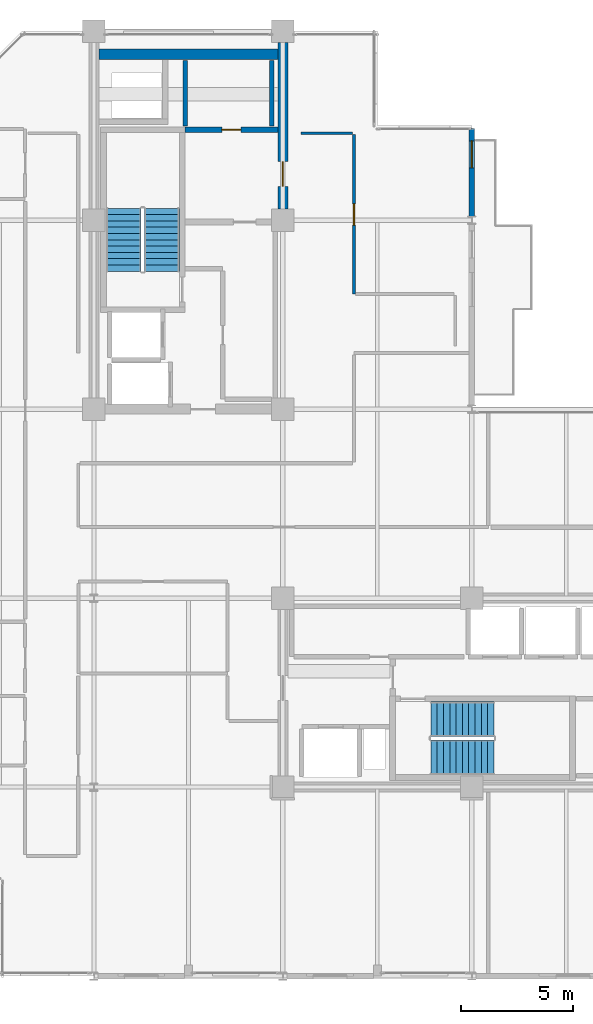
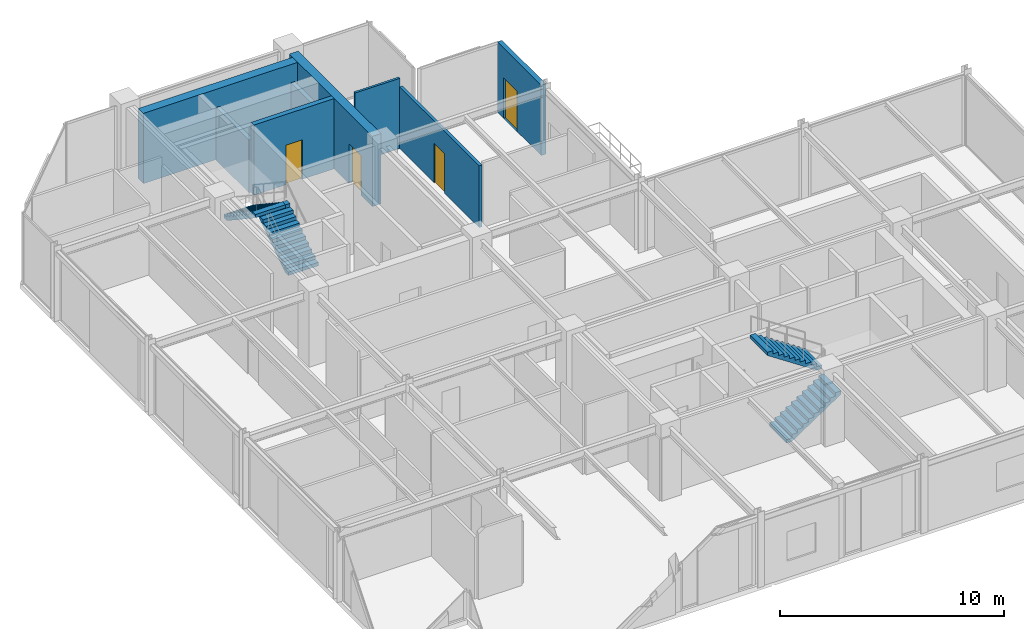
# One storey, part 22 of 25: 8 walls, 4 doors, 4 stair flights, 4 openings, 2 elements without a shape of their own.
"""IFC4 building model written with IfcOpenShell, lengths in metres."""

import ifcopenshell
import ifcopenshell.guid

model = None  # the IFC model being written
_history = None  # IfcOwnerHistory: only IFC2X3 demands one
_inside = {}  # id of a spatial element -> (the spatial element, [elements in it])
_under = {}  # id of a project, library or spatial element -> (it, [spatial elements below it])
_declared = {}  # id of a project -> (the project, [libraries it declares])
_typed = {}  # id of a type object -> (the type object, [elements of that type])
_made_of = {}  # id of a material, layer set ... -> (it, [elements and type objects made of it])


def new_model(schema):
    """Start an empty IFC model of exactly this schema.

    Asked for "IFC4X3", IfcOpenShell would pick the latest addendum, in which some entities
    have other attributes; the version numbers below select the first issue.
    IFC2X3 requires an IfcOwnerHistory on every rooted entity: one is made here for all.
    """
    global model, _history
    if schema == "IFC4X3":
        model = ifcopenshell.file(schema_version=(4, 3, 0, 0))
    else:
        model = ifcopenshell.file(schema=schema)
    _inside.clear()
    _under.clear()
    _declared.clear()
    _typed.clear()
    _made_of.clear()
    _history = None
    if model.schema == "IFC2X3":
        org = make("IfcOrganization", Name="unknown")
        user = make(
            "IfcPersonAndOrganization",
            ThePerson=make("IfcPerson", FamilyName="unknown"),
            TheOrganization=org,
        )
        app = make(
            "IfcApplication",
            ApplicationDeveloper=org,
            Version="unknown",
            ApplicationFullName="unknown",
            ApplicationIdentifier="unknown",
        )
        _history = make(
            "IfcOwnerHistory",
            OwningUser=user,
            OwningApplication=app,
            ChangeAction="ADDED",
            CreationDate=0,
        )
    return model


def make(cls, **values):
    """One entity of the class cls with the attributes given. An attribute that is None is left unset."""
    return model.create_entity(
        cls, **{name: value for name, value in values.items() if value is not None}
    )


def rooted(cls, **values):
    """An entity with a GlobalId (a new one), such as an element, a storey or a relation."""
    return make(cls, GlobalId=ifcopenshell.guid.new(), OwnerHistory=_history, **values)


def si_unit(unit_type, name, prefix=None):
    """IfcSIUnit, for example si_unit("LENGTHUNIT", "METRE", prefix="MILLI")."""
    return make("IfcSIUnit", UnitType=unit_type, Prefix=prefix, Name=name)


def assignment(units):
    """IfcUnitAssignment: the units of a project."""
    return None if units is None else make("IfcUnitAssignment", Units=units)


def point(xyz):
    """IfcCartesianPoint."""
    return None if xyz is None else make("IfcCartesianPoint", Coordinates=xyz)


def direction(xyz):
    """IfcDirection."""
    return None if xyz is None else make("IfcDirection", DirectionRatios=xyz)


def frame(location, z_axis=None, x_axis=None):
    """IfcAxis2Placement3D, a coordinate frame: its origin and axes. An axis left out is left unset."""
    return make(
        "IfcAxis2Placement3D",
        Location=point(location),
        Axis=direction(z_axis),
        RefDirection=direction(x_axis),
    )


def frame_2d(location, x_axis=None):
    """IfcAxis2Placement2D, a coordinate frame in the plane: its origin and x axis."""
    return make(
        "IfcAxis2Placement2D", Location=point(location), RefDirection=direction(x_axis)
    )


def origin():
    """The frame at (0, 0, 0) with its axes left unset."""
    return frame((0.0, 0.0, 0.0))


def place(relative_to, where):
    """IfcLocalPlacement: puts the frame where relative to a parent placement (None: the world)."""
    return make(
        "IfcLocalPlacement", PlacementRelTo=relative_to, RelativePlacement=where
    )


def context(
    kind, dimensions, precision=None, world=None, true_north=None, identifier=None
):
    """IfcGeometricRepresentationContext, for example the 3D "Model" context."""
    return make(
        "IfcGeometricRepresentationContext",
        ContextIdentifier=identifier,
        ContextType=kind,
        CoordinateSpaceDimension=dimensions,
        Precision=precision,
        WorldCoordinateSystem=world,
        TrueNorth=true_north,
    )


def subcontext(parent, identifier, kind, view, scale=None):
    """IfcGeometricRepresentationSubContext, for example "Body" below "Model"."""
    return make(
        "IfcGeometricRepresentationSubContext",
        ContextIdentifier=identifier,
        ContextType=kind,
        ParentContext=parent,
        TargetScale=scale,
        TargetView=view,
    )


def project(units=None, contexts=None):
    """IfcProject with its units and contexts."""
    return rooted(
        "IfcProject",
        Name="project",
        RepresentationContexts=contexts,
        UnitsInContext=assignment(units),
    )


def spatial(cls, under=None, at=None, **own):
    """A site, building, storey or space (cls), placed at a placement, below another one or the project."""
    s = rooted(cls, ObjectPlacement=at, **own)
    if under is not None:
        _under.setdefault(under.id(), (under, []))[1].append(s)
    return s


def polyline(points):
    """IfcPolyline through the points."""
    return make("IfcPolyline", Points=[point(p) for p in points])


def profile(cls, at=None, kind="AREA", **sizes):
    """A parametric profile (cls). Its sizes go by their IFC names, for example OverallWidth=200.0."""
    return make(cls, ProfileType=kind, Position=at, **sizes)


def rectangle(**sizes):
    """IfcRectangleProfileDef."""
    return profile("IfcRectangleProfileDef", **sizes)


def outline(outer, holes=None, kind="AREA"):
    """IfcArbitraryClosedProfileDef: a profile drawn as a closed curve; with holes, ...WithVoids."""
    if holes is None:
        return make("IfcArbitraryClosedProfileDef", ProfileType=kind, OuterCurve=outer)
    return make(
        "IfcArbitraryProfileDefWithVoids",
        ProfileType=kind,
        OuterCurve=outer,
        InnerCurves=holes,
    )


def extrude(swept, where, along, depth):
    """IfcExtrudedAreaSolid: the profile swept, set in the frame where, extruded along a direction by depth."""
    return make(
        "IfcExtrudedAreaSolid",
        SweptArea=swept,
        Position=where,
        ExtrudedDirection=direction(along),
        Depth=depth,
    )


def shape(context_of_items, identifier, shape_type, items):
    """IfcShapeRepresentation: the items that make up one representation, for example the "Body"."""
    return make(
        "IfcShapeRepresentation",
        ContextOfItems=context_of_items,
        RepresentationIdentifier=identifier,
        RepresentationType=shape_type,
        Items=items,
    )


def material(Name=None, Category=None):
    """IfcMaterial."""
    return make("IfcMaterial", Name=Name, Category=Category)


def layer(
    of_material, thickness, ventilated=None, Name=None, Category=None, Priority=None
):
    """IfcMaterialLayer: one layer of a wall or slab, of a material (None: an air gap)."""
    return make(
        "IfcMaterialLayer",
        Material=of_material,
        LayerThickness=thickness,
        IsVentilated=ventilated,
        Name=Name,
        Category=Category,
        Priority=Priority,
    )


def layer_set(layers, Name=None):
    """IfcMaterialLayerSet."""
    return make("IfcMaterialLayerSet", MaterialLayers=layers, LayerSetName=Name)


def made_of(thing, what):
    """Note that an element or type object is made of a material, layer set ...; save() writes the relation."""
    if what is not None:
        _made_of.setdefault(what.id(), (what, []))[1].append(thing)
    return thing


def type_object(cls, material=None, **own):
    """A type object (cls), such as IfcWallType, which elements share."""
    return made_of(rooted(cls, **own), material)


def element(
    cls,
    number,
    at=None,
    inside=None,
    cuts=None,
    type_object=None,
    material=None,
    context=None,
    identifier="Body",
    shape_type=None,
    held_by="IfcProductDefinitionShape",
    body=None,
    shapes=None,
    **own,
):
    """One element of the class cls, such as IfcWall. Its Tag is "e" and its number.

    at: its placement. inside: the storey or other place that contains it. cuts: it is an
    opening in that element (IfcRelVoidsElement). A single representation is given by context,
    identifier, shape_type and body (its items); several are given by shapes. held_by: the class
    of the entity that holds the representations. save() writes the other relations.
    """
    e = rooted(cls, Tag="e%d" % number, ObjectPlacement=at, **own)
    if body is not None:
        shapes = [shape(context, identifier, shape_type, body)]
    if shapes is not None:
        e.Representation = make(held_by, Representations=shapes)
    if inside is not None:
        _inside.setdefault(inside.id(), (inside, []))[1].append(e)
    if cuts is not None:
        rooted(
            "IfcRelVoidsElement", RelatingBuildingElement=cuts, RelatedOpeningElement=e
        )
    if type_object is not None:
        _typed.setdefault(type_object.id(), (type_object, []))[1].append(e)
    return made_of(e, material)


def fill(opening, filler):
    """IfcRelFillsElement: the door or window that sits in an opening."""
    return rooted(
        "IfcRelFillsElement",
        RelatingOpeningElement=opening,
        RelatedBuildingElement=filler,
    )


def aggregate(whole, parts):
    """IfcRelAggregates: a whole, such as a stair, and the parts it consists of."""
    return rooted("IfcRelAggregates", RelatingObject=whole, RelatedObjects=parts)


def save(model, path):
    """Write the relations noted so far, then the file.

    IfcRelAggregates (storeys below a building ...), IfcRelContainedInSpatialStructure (elements
    in a storey), IfcRelDefinesByType, IfcRelAssociatesMaterial and IfcRelDeclares: one each for
    every whole, place, type object, material and project.
    """
    for whole, parts in _under.values():
        aggregate(whole, parts)
    for where, things in _inside.values():
        rooted(
            "IfcRelContainedInSpatialStructure",
            RelatedElements=things,
            RelatingStructure=where,
        )
    for kind, things in _typed.values():
        rooted("IfcRelDefinesByType", RelatedObjects=things, RelatingType=kind)
    for what, things in _made_of.values():
        rooted("IfcRelAssociatesMaterial", RelatedObjects=things, RelatingMaterial=what)
    for by, libraries in _declared.values():
        rooted("IfcRelDeclares", RelatingContext=by, RelatedDefinitions=libraries)
    model.write(path)


model = new_model("IFC4")

# Units and contexts
model_context = context("Model", 3, precision=1e-05, world=origin(), true_north=direction((0.0, 1.0)))
body_context = subcontext(model_context, "Body", "Model", "MODEL_VIEW")
ifc_project = project(units=[si_unit("LENGTHUNIT", "METRE"), si_unit("AREAUNIT", "SQUARE_METRE"), si_unit("VOLUMEUNIT", "CUBIC_METRE"), si_unit("PLANEANGLEUNIT", "RADIAN"), si_unit("MASSUNIT", "GRAM", prefix="KILO")], contexts=[model_context])

# Site, building, storey
site_placement = place(None, origin())
site = spatial("IfcSite", under=ifc_project, at=site_placement, CompositionType="ELEMENT")
building_placement = place(site_placement, origin())
building = spatial("IfcBuilding", under=site, at=building_placement, Name="Nerrivon Quay Data Exchange", CompositionType="ELEMENT")
storey_placement = place(building_placement, frame((0.0, 0.0, 237.0)))
storey = spatial("IfcBuildingStorey", under=building, at=storey_placement, Name="L56", CompositionType="ELEMENT", Elevation=237.0)

# Wall, opening, door
ifc_material_1 = material(Name="Architectural terracotta precast concrete N50 (50 MPa)", Category="masonry")
ifc_layer_1 = layer(ifc_material_1, 0.239990234375)
ifc_layer_set_1 = layer_set([ifc_layer_1], Name="Architectural terracotta precast concrete N50 (50 MPa)")
wall_type_1 = type_object("IfcWallType", Name="EW-PREC-240", PredefinedType="STANDARD", material=ifc_layer_set_1)
wall_1_placement = place(storey_placement, frame((25.199951171875, 37.679931640625, 0.0), z_axis=(0.0, 0.0, 1.0), x_axis=(0.0, -1.0, 0.0)))
wall_1 = element("IfcWall", 1, at=wall_1_placement, inside=storey, type_object=wall_type_1, Name="L56 Terrace Host Wall 22", PredefinedType="STANDARD", context=body_context, shape_type="SweptSolid", body=[
    extrude(rectangle(XDim=3.905029296875, YDim=0.239990234375, at=frame_2d((1.95263671875, 0.0))), origin(), (0.0, 0.0, 1.0), 3.824951171875),
])
opening_1_placement = place(wall_1_placement, frame((0.550048828125, 0.0, 0.0)))
opening_1 = element("IfcOpeningElement", 2, at=opening_1_placement, cuts=wall_1, Name="Opening TD1", PredefinedType="OPENING", context=body_context, shape_type="SweptSolid", body=[
    extrude(rectangle(XDim=1.199951171875, YDim=2.199951171875, at=frame_2d((0.60009765625, 1.10009765625))), frame((0.0, 0.1298828125, 0.0), z_axis=(0.0, -1.0, 0.0), x_axis=(1.0, 0.0, 0.0)), (0.0, 0.0, 1.0), 0.260009765625),
])
ifc_material_2 = material(Name="Double-glazed low-E solar control glass", Category="glass")
door_type_1 = type_object("IfcDoorType", Name="DR-TERR-1200x2200", OperationType="NOTDEFINED", PredefinedType="DOOR", material=ifc_material_2)
door_1_placement = place(opening_1_placement, origin())
door_1 = element("IfcDoor", 3, at=door_1_placement, inside=storey, type_object=door_type_1, Name="L56 Outdoor Terrace Access Door 22", OperationType="SINGLE_SWING_LEFT", OverallHeight=2.199951171875, OverallWidth=1.199951171875, PredefinedType="DOOR", context=body_context, shape_type="SweptSolid", body=[
    extrude(rectangle(XDim=1.199951171875, YDim=2.199951171875, at=frame_2d((0.60009765625, 1.10009765625))), frame((0.0, 0.02490234375, 0.0), z_axis=(0.0, -1.0, 0.0), x_axis=(1.0, 0.0, 0.0)), (0.0, 0.0, 1.0), 0.050048828125),
])
fill(opening_1, door_1)

# Wall
ifc_material_3 = material(Name="Concrete N50 (50 MPa)", Category="concrete")
ifc_layer_2 = layer(ifc_material_3, 0.449951171875)
ifc_layer_set_2 = layer_set([ifc_layer_2], Name="Concrete N50 (50 MPa)")
wall_type_2 = type_object("IfcWallType", Name="WALL-CW-550", PredefinedType="SHEAR", material=ifc_layer_set_2)
wall_2_placement = place(storey_placement, frame((8.625, 40.97509765625, 0.0), z_axis=(0.0, 0.0, 1.0), x_axis=(1.0, 0.0, 0.0)))
element("IfcWall", 4, at=wall_2_placement, inside=storey, type_object=wall_type_2, Name="L56 West Split-Core Shear Wall WCW-N1", PredefinedType="SHEAR", context=body_context, shape_type="SweptSolid", body=[
    extrude(rectangle(XDim=7.949951171875, YDim=0.449951171875, at=frame_2d((3.97509765625, 0.0))), origin(), (0.0, 0.0, 1.0), 3.824951171875),
])

# Wall, opening, door
wall_3_placement = place(storey_placement, frame((16.800048828125, 34.10009765625, 0.0), z_axis=(0.0, 0.0, 1.0), x_axis=(0.0, 1.0, 0.0)))
wall_3 = element("IfcWall", 5, at=wall_3_placement, inside=storey, type_object=wall_type_2, Name="L56 West Split-Core Shear Wall WCW-E1", PredefinedType="SHEAR", context=body_context, shape_type="SweptSolid", body=[
    extrude(rectangle(XDim=7.39990234375, YDim=0.449951171875, at=frame_2d((3.699951171875, 0.0))), origin(), (0.0, 0.0, 1.0), 3.824951171875),
])
opening_2_placement = place(wall_3_placement, frame((1.0, 0.0, 0.0)))
opening_2 = element("IfcOpeningElement", 6, at=opening_2_placement, cuts=wall_3, Name="Opening FD-120", PredefinedType="OPENING", context=body_context, shape_type="SweptSolid", body=[
    extrude(rectangle(XDim=1.10009765625, YDim=2.14990234375, at=frame_2d((0.550048828125, 1.074951171875))), frame((0.0, 0.23486328125, 0.0), z_axis=(0.0, -1.0, 0.0), x_axis=(1.0, 0.0, 0.0)), (0.0, 0.0, 1.0), 0.469970703125),
])
ifc_material_4 = material(Name="Powder-coated galvanized steel sheet", Category="steel")
door_type_2 = type_object("IfcDoorType", Name="DR-FD120-1100", OperationType="NOTDEFINED", PredefinedType="DOOR", material=ifc_material_4)
door_2_placement = place(opening_2_placement, origin())
door_2 = element("IfcDoor", 7, at=door_2_placement, inside=storey, type_object=door_type_2, Name="L56 West Core Lobby Fire Door", OperationType="SINGLE_SWING_RIGHT", OverallHeight=2.14990234375, OverallWidth=1.10009765625, PredefinedType="DOOR", context=body_context, shape_type="SweptSolid", body=[
    extrude(rectangle(XDim=1.10009765625, YDim=2.14990234375, at=frame_2d((0.550048828125, 1.074951171875))), frame((0.0, 0.02490234375, 0.0), z_axis=(0.0, -1.0, 0.0), x_axis=(1.0, 0.0, 0.0)), (0.0, 0.0, 1.0), 0.050048828125),
])
fill(opening_2, door_2)

# Walls
ifc_material_5 = material(Name="Gypsum plasterboard on cold-formed framing", Category="gypsum")
ifc_layer_3 = layer(ifc_material_5, 0.199951171875)
ifc_layer_set_3 = layer_set([ifc_layer_3], Name="Gypsum plasterboard on cold-formed framing")
wall_type_3 = type_object("IfcWallType", Name="WALL-FW-200", PredefinedType="PARTITIONING", material=ifc_layer_set_3)
for number, where, z_axis, x_axis, name in (
    (8, (16.300048828125, 37.780029296875, 0.0), (0.0, 0.0, 1.0), (0.0, 1.0, 0.0), "L56 Partition Cleaners Store"),
    (9, (12.449951171875, 40.699951171875, 0.0), (0.0, 0.0, 1.0), (0.0, -1.0, 0.0), "L56 Partition Cleaners Store"),
):
    element("IfcWall", number, at=place(storey_placement, frame(where, z_axis=z_axis, x_axis=x_axis)), inside=storey, type_object=wall_type_3, Name=name, PredefinedType="PARTITIONING", context=body_context, shape_type="SweptSolid", body=[
        extrude(rectangle(XDim=2.919921875, YDim=0.199951171875, at=frame_2d((1.4599609375, 0.0))), origin(), (0.0, 0.0, 1.0), 2.875),
    ])
ifc_layer_4 = layer(ifc_material_5, 0.1201171875)
ifc_layer_set_4 = layer_set([ifc_layer_4], Name="Gypsum plasterboard on cold-formed framing")
wall_type_4 = type_object("IfcWallType", Name="WALL-PT-120", PredefinedType="PARTITIONING", material=ifc_layer_set_4)
wall_4_placement = place(storey_placement, frame((17.60009765625, 37.4599609375, 0.0), z_axis=(0.0, 0.0, 1.0), x_axis=(1.0, 0.0, 0.0)))
element("IfcWall", 10, at=wall_4_placement, inside=storey, type_object=wall_type_4, Name="L56 Partition Engineers Lounge", PredefinedType="PARTITIONING", context=body_context, shape_type="SweptSolid", body=[
    extrude(rectangle(XDim=2.2998046875, YDim=0.1201171875, at=frame_2d((1.14990234375, 0.0))), origin(), (0.0, 0.0, 1.0), 3.824951171875),
])

# Wall, opening, door
ifc_layer_5 = layer(ifc_material_5, 0.14990234375)
ifc_layer_set_5 = layer_set([ifc_layer_5], Name="Gypsum plasterboard on cold-formed framing")
wall_type_5 = type_object("IfcWallType", Name="WALL-PT-150", PredefinedType="PARTITIONING", material=ifc_layer_set_5)
wall_5_placement = place(storey_placement, frame((19.9599609375, 37.39990234375, 0.0), z_axis=(0.0, 0.0, 1.0), x_axis=(0.0, -1.0, 0.0)))
wall_5 = element("IfcWall", 11, at=wall_5_placement, inside=storey, type_object=wall_type_5, Name="L56 Partition Engineers Lounge", PredefinedType="PARTITIONING", context=body_context, shape_type="SweptSolid", body=[
    extrude(rectangle(XDim=7.08984375, YDim=0.14990234375, at=frame_2d((3.544921875, 0.0))), origin(), (0.0, 0.0, 1.0), 3.364990234375),
])
opening_3_placement = place(wall_5_placement, frame((3.070068359375, 0.0, 0.0)))
opening_3 = element("IfcOpeningElement", 12, at=opening_3_placement, cuts=wall_5, Name="Opening D-01", PredefinedType="OPENING", context=body_context, shape_type="SweptSolid", body=[
    extrude(rectangle(XDim=0.949951171875, YDim=2.14990234375, at=frame_2d((0.47509765625, 1.074951171875))), frame((0.0, 0.0849609375, 0.0), z_axis=(0.0, -1.0, 0.0), x_axis=(1.0, 0.0, 0.0)), (0.0, 0.0, 1.0), 0.169921875),
])
ifc_material_6 = material(Name="Engineered hardwood timber", Category="wood")
door_type_3 = type_object("IfcDoorType", Name="DR-INT-950", OperationType="NOTDEFINED", PredefinedType="DOOR", material=ifc_material_6)
door_3_placement = place(opening_3_placement, origin())
door_3 = element("IfcDoor", 13, at=door_3_placement, inside=storey, type_object=door_type_3, Name="L56 Door Engineers Lounge", OperationType="SINGLE_SWING_LEFT", OverallHeight=2.14990234375, OverallWidth=0.949951171875, PredefinedType="DOOR", context=body_context, shape_type="SweptSolid", body=[
    extrude(rectangle(XDim=0.949951171875, YDim=2.14990234375, at=frame_2d((0.47509765625, 1.074951171875))), frame((0.0, 0.02490234375, 0.0), z_axis=(0.0, -1.0, 0.0), x_axis=(1.0, 0.0, 0.0)), (0.0, 0.0, 1.0), 0.050048828125),
])
fill(opening_3, door_3)

ifc_layer_6 = layer(ifc_material_3, 0.25)
ifc_layer_set_6 = layer_set([ifc_layer_6], Name="Concrete N50 (50 MPa)")
wall_type_6 = type_object("IfcWallType", Name="WALL-SW-250", PredefinedType="SHEAR", material=ifc_layer_set_6)
wall_6_placement = place(storey_placement, frame((12.449951171875, 37.625, 0.0), z_axis=(0.0, 0.0, 1.0), x_axis=(1.0, 0.0, 0.0)))
wall_6 = element("IfcWall", 14, at=wall_6_placement, inside=storey, type_object=wall_type_6, Name="L56 West Firefighting Lobby Wall", PredefinedType="SHEAR", context=body_context, shape_type="SweptSolid", body=[
    extrude(rectangle(XDim=4.125, YDim=0.25, at=frame_2d((2.0625, 0.0))), origin(), (0.0, 0.0, 1.0), 3.824951171875),
])
opening_4_placement = place(wall_6_placement, frame((1.637451171875, 0.0, 0.0)))
opening_4 = element("IfcOpeningElement", 15, at=opening_4_placement, cuts=wall_6, Name="Opening FD-60S", PredefinedType="OPENING", context=body_context, shape_type="SweptSolid", body=[
    extrude(rectangle(XDim=0.85009765625, YDim=2.14990234375, at=frame_2d((0.425048828125, 1.074951171875))), frame((0.0, 0.135009765625, 0.0), z_axis=(0.0, -1.0, 0.0), x_axis=(1.0, 0.0, 0.0)), (0.0, 0.0, 1.0), 0.27001953125),
])
door_type_4 = type_object("IfcDoorType", Name="DR-FD60-850", OperationType="NOTDEFINED", PredefinedType="DOOR", material=ifc_material_6)
door_4_placement = place(opening_4_placement, origin())
door_4 = element("IfcDoor", 16, at=door_4_placement, inside=storey, type_object=door_type_4, Name="L56 Door Cleaners Store", OperationType="SINGLE_SWING_LEFT", OverallHeight=2.14990234375, OverallWidth=0.85009765625, PredefinedType="DOOR", context=body_context, shape_type="SweptSolid", body=[
    extrude(rectangle(XDim=0.85009765625, YDim=2.14990234375, at=frame_2d((0.425048828125, 1.074951171875))), frame((0.0, 0.02490234375, 0.0), z_axis=(0.0, -1.0, 0.0), x_axis=(1.0, 0.0, 0.0)), (0.0, 0.0, 1.0), 0.050048828125),
])
fill(opening_4, door_4)

# Stair, stair flights
stair_type = type_object("IfcStairType", Name="STAIR-DOG-41", PredefinedType="HALF_TURN_STAIR", material=ifc_material_3)
stair_1_placement = place(storey_placement, origin())
stair_1 = element("IfcStair", 17, at=stair_1_placement, inside=storey, type_object=stair_type, Name="L56 West Core Fire Stair ST01", PredefinedType="HALF_TURN_STAIR")
stair_flight_type = type_object("IfcStairFlightType", Name="FLIGHT-DOG-41", PredefinedType="STRAIGHT", material=ifc_material_3)
stair_flight_1_placement = place(storey_placement, frame((11.425048828125, 31.330078125, 0.0), z_axis=(0.0, 0.0, 1.0), x_axis=(0.0, 1.0, 0.0)))
stair_flight_1 = element("IfcStairFlight", 18, at=stair_flight_1_placement, type_object=stair_flight_type, Name="ST01 flight 1", NumberOfRisers=11, NumberOfTreads=10, PredefinedType="STRAIGHT", RiserHeight=0.186363636, TreadLength=0.28, context=body_context, shape_type="SweptSolid", body=[
    extrude(outline(polyline([(0.0, 0.0), (0.0, 0.186279296875), (0.280029296875, 0.186279296875), (0.280029296875, 0.372802734375), (0.56005859375, 0.372802734375), (0.56005859375, 0.55908203125), (0.840087890625, 0.55908203125), (0.840087890625, 0.745361328125), (1.1201171875, 0.745361328125), (1.1201171875, 0.931884765625), (1.39990234375, 0.931884765625), (1.39990234375, 1.1181640625), (1.679931640625, 1.1181640625), (1.679931640625, 1.304443359375), (1.9599609375, 1.304443359375), (1.9599609375, 1.490966796875), (2.239990234375, 1.490966796875), (2.239990234375, 1.67724609375), (2.52001953125, 1.67724609375), (2.52001953125, 1.863525390625), (2.800048828125, 1.863525390625), (2.800048828125, 2.050048828125), (2.800048828125, 1.68359375), (0.2705078125, 0.0), (0.0, 0.0)])), frame((0.0, 0.77490234375, 0.0), z_axis=(0.0, -1.0, 0.0), x_axis=(1.0, 0.0, 0.0)), (0.0, 0.0, 1.0), 1.550048828125),
])
stair_flight_2_placement = place(storey_placement, frame((9.72509765625, 34.1298828125, 2.050048828125), z_axis=(0.0, 0.0, 1.0), x_axis=(0.0, -1.0, 0.0)))
stair_flight_2 = element("IfcStairFlight", 19, at=stair_flight_2_placement, type_object=stair_flight_type, Name="ST01 flight 2", NumberOfRisers=11, NumberOfTreads=10, PredefinedType="STRAIGHT", RiserHeight=0.186363636, TreadLength=0.28, context=body_context, shape_type="SweptSolid", body=[
    extrude(outline(polyline([(0.0, 0.0), (0.0, 0.186279296875), (0.280029296875, 0.186279296875), (0.280029296875, 0.372802734375), (0.56005859375, 0.372802734375), (0.56005859375, 0.55908203125), (0.840087890625, 0.55908203125), (0.840087890625, 0.745361328125), (1.1201171875, 0.745361328125), (1.1201171875, 0.931884765625), (1.39990234375, 0.931884765625), (1.39990234375, 1.1181640625), (1.679931640625, 1.1181640625), (1.679931640625, 1.304443359375), (1.9599609375, 1.304443359375), (1.9599609375, 1.490966796875), (2.239990234375, 1.490966796875), (2.239990234375, 1.67724609375), (2.52001953125, 1.67724609375), (2.52001953125, 1.863525390625), (2.800048828125, 1.863525390625), (2.800048828125, 2.050048828125), (2.800048828125, 1.68359375), (0.2705078125, 0.0), (0.0, 0.0)])), frame((0.0, 0.77490234375, 0.0), z_axis=(0.0, -1.0, 0.0), x_axis=(1.0, 0.0, 0.0)), (0.0, 0.0, 1.0), 1.550048828125),
])
aggregate(stair_1, [stair_flight_1, stair_flight_2])

stair_2_placement = place(storey_placement, origin())
stair_2 = element("IfcStair", 20, at=stair_2_placement, inside=storey, type_object=stair_type, Name="L56 East Core Fire Stair ST02", PredefinedType="HALF_TURN_STAIR")
stair_flight_3_placement = place(storey_placement, frame((23.3798828125, 9.72509765625, 0.0), z_axis=(0.0, 0.0, 1.0), x_axis=(1.0, 0.0, 0.0)))
stair_flight_3 = element("IfcStairFlight", 21, at=stair_flight_3_placement, type_object=stair_flight_type, Name="ST02 flight 1", NumberOfRisers=11, NumberOfTreads=10, PredefinedType="STRAIGHT", RiserHeight=0.186363636, TreadLength=0.28, context=body_context, shape_type="SweptSolid", body=[
    extrude(outline(polyline([(0.0, 0.0), (0.0, 0.186279296875), (0.280029296875, 0.186279296875), (0.280029296875, 0.372802734375), (0.56005859375, 0.372802734375), (0.56005859375, 0.55908203125), (0.840087890625, 0.55908203125), (0.840087890625, 0.745361328125), (1.1201171875, 0.745361328125), (1.1201171875, 0.931884765625), (1.39990234375, 0.931884765625), (1.39990234375, 1.1181640625), (1.679931640625, 1.1181640625), (1.679931640625, 1.304443359375), (1.9599609375, 1.304443359375), (1.9599609375, 1.490966796875), (2.239990234375, 1.490966796875), (2.239990234375, 1.67724609375), (2.52001953125, 1.67724609375), (2.52001953125, 1.863525390625), (2.800048828125, 1.863525390625), (2.800048828125, 2.050048828125), (2.800048828125, 1.68359375), (0.2705078125, 0.0), (0.0, 0.0)])), frame((0.0, 0.77490234375, 0.0), z_axis=(0.0, -1.0, 0.0), x_axis=(1.0, 0.0, 0.0)), (0.0, 0.0, 1.0), 1.550048828125),
])
stair_flight_4_placement = place(storey_placement, frame((26.179931640625, 11.425048828125, 2.050048828125), z_axis=(0.0, 0.0, 1.0), x_axis=(-1.0, 0.0, 0.0)))
stair_flight_4 = element("IfcStairFlight", 22, at=stair_flight_4_placement, type_object=stair_flight_type, Name="ST02 flight 2", NumberOfRisers=11, NumberOfTreads=10, PredefinedType="STRAIGHT", RiserHeight=0.186363636, TreadLength=0.28, context=body_context, shape_type="SweptSolid", body=[
    extrude(outline(polyline([(0.0, 0.0), (0.0, 0.186279296875), (0.280029296875, 0.186279296875), (0.280029296875, 0.372802734375), (0.56005859375, 0.372802734375), (0.56005859375, 0.55908203125), (0.840087890625, 0.55908203125), (0.840087890625, 0.745361328125), (1.1201171875, 0.745361328125), (1.1201171875, 0.931884765625), (1.39990234375, 0.931884765625), (1.39990234375, 1.1181640625), (1.679931640625, 1.1181640625), (1.679931640625, 1.304443359375), (1.9599609375, 1.304443359375), (1.9599609375, 1.490966796875), (2.239990234375, 1.490966796875), (2.239990234375, 1.67724609375), (2.52001953125, 1.67724609375), (2.52001953125, 1.863525390625), (2.800048828125, 1.863525390625), (2.800048828125, 2.050048828125), (2.800048828125, 1.68359375), (0.2705078125, 0.0), (0.0, 0.0)])), frame((0.0, 0.77490234375, 0.0), z_axis=(0.0, -1.0, 0.0), x_axis=(1.0, 0.0, 0.0)), (0.0, 0.0, 1.0), 1.550048828125),
])
aggregate(stair_2, [stair_flight_3, stair_flight_4])

save(model, "model.ifc")
